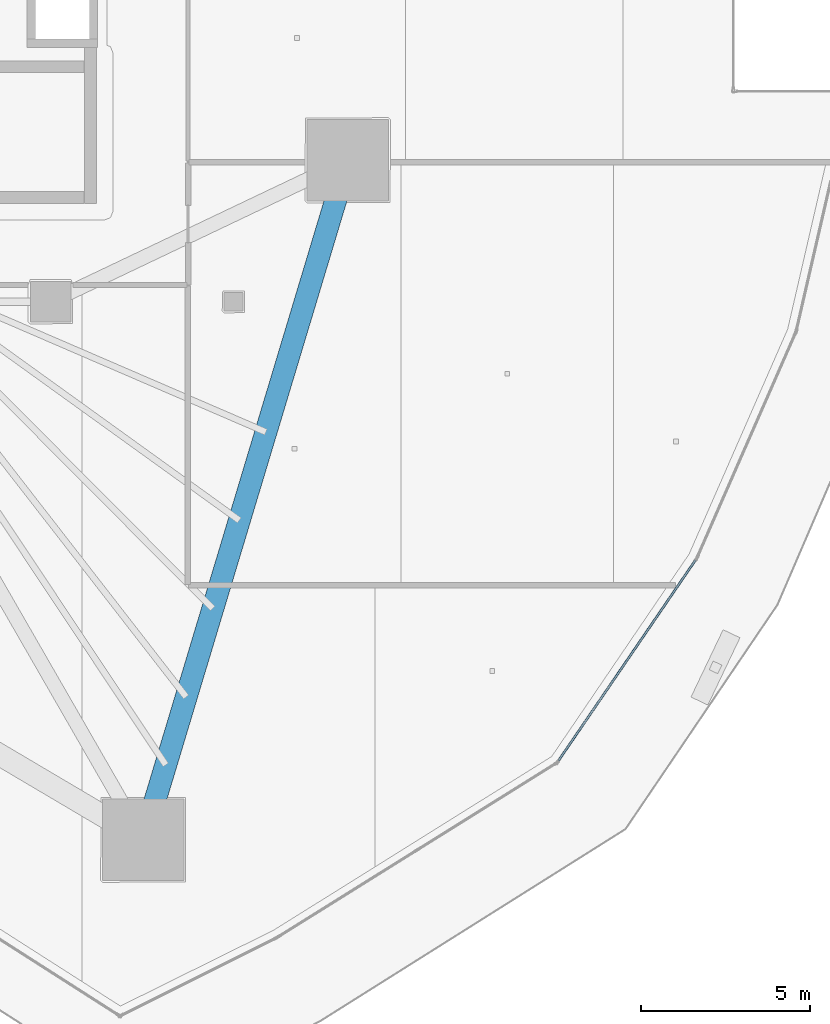
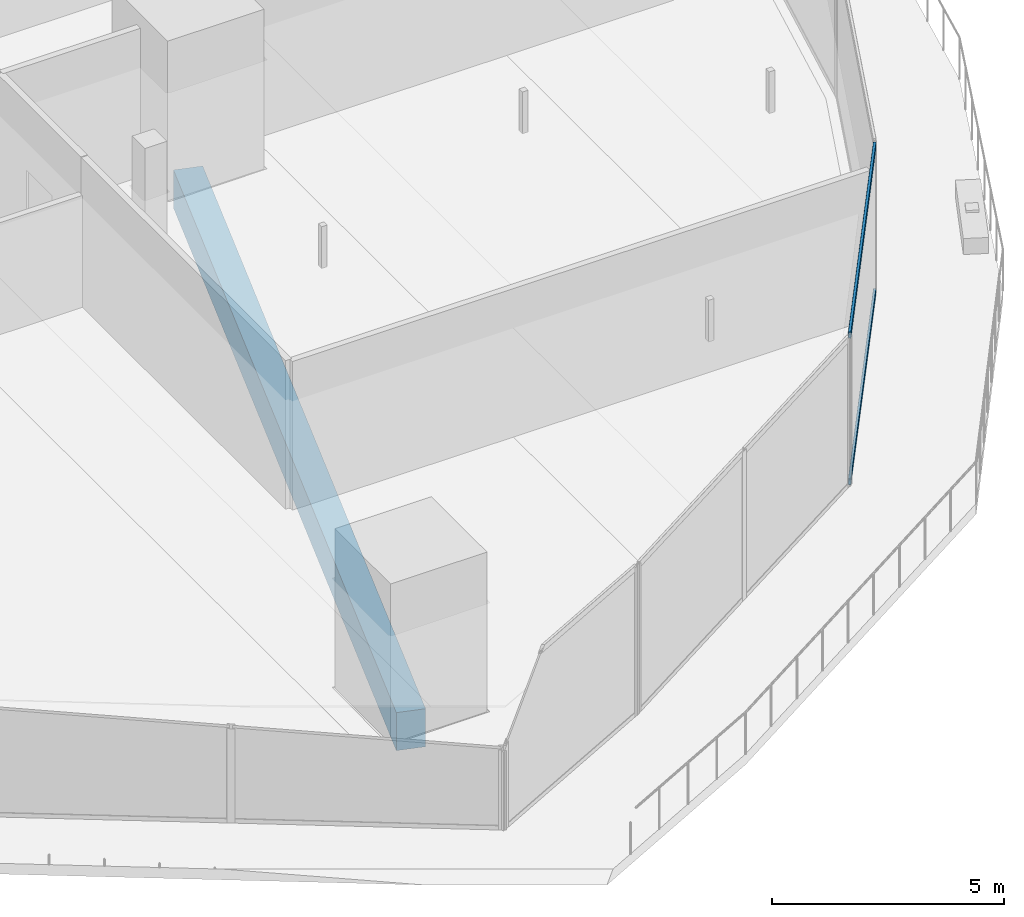
# One storey, part 10 of 44: 2 members, 1 beam, 1 element without a shape of its own.
"""IFC4 building model written with IfcOpenShell, lengths in metres."""

from ifc_helpers import new_model, si_unit, direction, frame, origin, origin_2d, place, context, subcontext, project, spatial, rectangle, hollow_rectangle, extrude, material, layer, layer_set, material_profile, profile_set, type_object, element, aggregate, save


model = new_model("IFC4")

# Units and contexts
model_context = context("Model", 3, precision=1e-05, world=origin(), true_north=direction((0.0, 1.0)))
body_context = subcontext(model_context, "Body", "Model", "MODEL_VIEW")
ifc_project = project(units=[si_unit("LENGTHUNIT", "METRE"), si_unit("AREAUNIT", "SQUARE_METRE"), si_unit("VOLUMEUNIT", "CUBIC_METRE"), si_unit("PLANEANGLEUNIT", "RADIAN"), si_unit("MASSUNIT", "GRAM", prefix="KILO")], contexts=[model_context])

# Site, building, storey
site_placement = place(None, origin())
site = spatial("IfcSite", under=ifc_project, at=site_placement, CompositionType="ELEMENT")
building_placement = place(site_placement, origin())
building = spatial("IfcBuilding", under=site, at=building_placement, Name="Qorvath Tower", CompositionType="ELEMENT")
storey_placement = place(building_placement, frame((0.0, 0.0, 70.199951171875)))
storey = spatial("IfcBuildingStorey", under=building, at=storey_placement, Name="L15", CompositionType="ELEMENT", Elevation=70.199951171875)

# Beam
ifc_material_1 = material(Name="Concrete C50/60", Category="concrete")
ifc_material_profile_1 = material_profile(ifc_material_1, rectangle(XDim=0.64990234375, YDim=1.0, at=origin_2d()), Name="RCB 1000x650")
ifc_profile_set_1 = profile_set([ifc_material_profile_1], Name="Concrete C50/60")
beam_type = type_object("IfcBeamType", Name="BM-RCB1", PredefinedType="SPANDREL", material=ifc_profile_set_1)
beam_placement = place(storey_placement, frame((-14.46435546875, -27.330810546875, -0.780029296875), z_axis=(0.288118908799, 0.957594639914, 0.0), x_axis=(-0.957594639914, 0.288118908799, 0.0)))
element("IfcBeam", 1, at=beam_placement, inside=storey, type_object=beam_type, Name="Perimeter Loggia Frame Beam MC3-MC4 L15", PredefinedType="SPANDREL", context=body_context, shape_type="SweptSolid", body=[
    extrude(rectangle(XDim=0.64990234375, YDim=1.0, at=origin_2d()), origin(), (0.0, 0.0, 1.0), 20.942626953125),
])

# Curtain wall, members
ifc_material_2 = material(Name="Anodised aluminium and triple low-E glass", Category="aluminium")
ifc_layer = layer(ifc_material_2, 0.179931640625)
ifc_layer_set = layer_set([ifc_layer], Name="CW-SYS-2")
curtain_wall_type = type_object("IfcCurtainWallType", Name="CW-SYS-2", PredefinedType="NOTDEFINED", material=ifc_layer_set)
curtain_wall_placement = place(storey_placement, origin())
curtain_wall = element("IfcCurtainWall", 2, at=curtain_wall_placement, inside=storey, type_object=curtain_wall_type, Name="Curtain Wall CW-2 CW-T-L15-5.1", PredefinedType="NOTDEFINED")
ifc_material_3 = material(Name="Anodised aluminium 6063-T6", Category="aluminium")
ifc_material_profile_2 = material_profile(ifc_material_3, hollow_rectangle(XDim=0.06494140625, YDim=0.159912109375, WallThickness=0.00341796875, InnerFilletRadius=0.00341796875, OuterFilletRadius=0.007080078125, at=origin_2d()), Name="CWT 160x65")
ifc_profile_set_2 = profile_set([ifc_material_profile_2], Name="Anodised aluminium 6063-T6")
member_type = type_object("IfcMemberType", Name="CWT-160", PredefinedType="USERDEFINED", material=ifc_profile_set_2)
member_1_placement = place(storey_placement, frame((-2.20654296875, -24.996826171875, 0.032470703125), z_axis=(0.563979207368, 0.825788988578, 0.0), x_axis=(-0.825788988578, 0.563979207368, 0.0)))
member_1 = element("IfcMember", 3, at=member_1_placement, type_object=member_type, Name="CW-2 transom 1.1", ObjectType="TRANSOM", PredefinedType="USERDEFINED", context=body_context, shape_type="SweptSolid", body=[
    extrude(hollow_rectangle(XDim=0.06494140625, YDim=0.159912109375, WallThickness=0.00341796875, InnerFilletRadius=0.00341796875, OuterFilletRadius=0.007080078125, at=origin_2d()), origin(), (0.0, 0.0, 1.0), 7.168212890625),
])
member_2_placement = place(storey_placement, frame((-2.20654296875, -24.996826171875, 3.8876953125), z_axis=(0.563979207368, 0.825788988578, 0.0), x_axis=(-0.825788988578, 0.563979207368, 0.0)))
member_2 = element("IfcMember", 4, at=member_2_placement, type_object=member_type, Name="CW-2 transom 1.2", ObjectType="TRANSOM", PredefinedType="USERDEFINED", context=body_context, shape_type="SweptSolid", body=[
    extrude(hollow_rectangle(XDim=0.06494140625, YDim=0.159912109375, WallThickness=0.00341796875, InnerFilletRadius=0.00341796875, OuterFilletRadius=0.007080078125, at=origin_2d()), origin(), (0.0, 0.0, 1.0), 7.168212890625),
])
aggregate(curtain_wall, [member_1, member_2])

save(model, "model.ifc")
